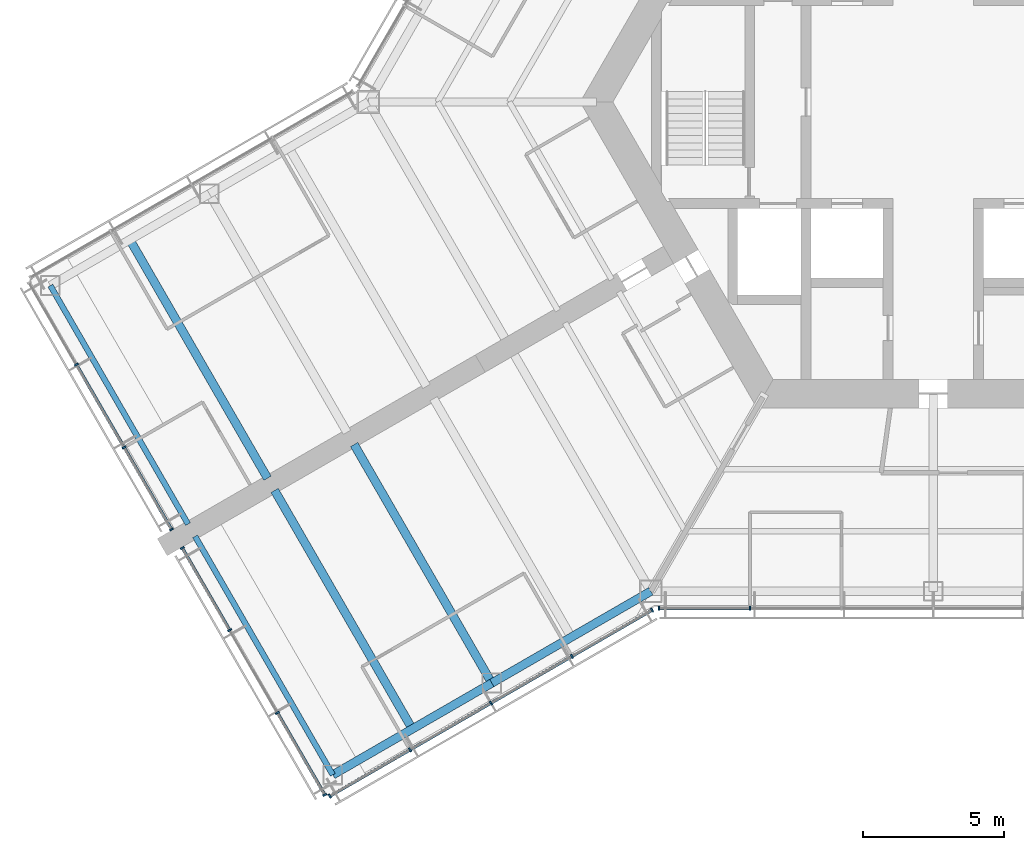
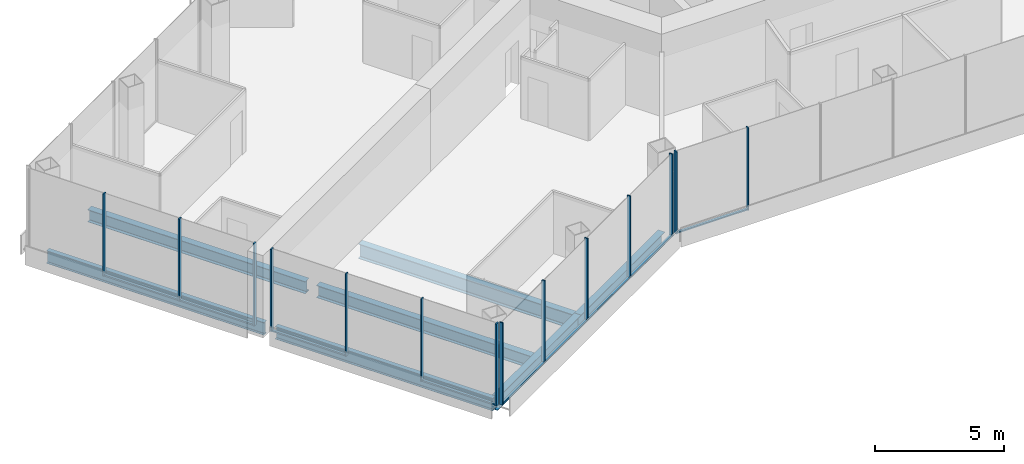
# One storey, part 2 of 18: 23 members, 7 beams, 4 elements without a shape of their own.
"""IFC4 building model written with IfcOpenShell, lengths in metres."""

from ifc_helpers import new_model, si_unit, direction, frame, origin, origin_2d, place, context, subcontext, project, spatial, rectangle, i_section, extrude, material, material_profile, profile_set, type_object, element, aggregate, save


model = new_model("IFC4")

# Units and contexts
model_context = context("Model", 3, precision=1e-05, world=origin(), true_north=direction((0.0, 1.0)))
body_context = subcontext(model_context, "Body", "Model", "MODEL_VIEW")
ifc_project = project(units=[si_unit("LENGTHUNIT", "METRE"), si_unit("AREAUNIT", "SQUARE_METRE"), si_unit("VOLUMEUNIT", "CUBIC_METRE"), si_unit("PLANEANGLEUNIT", "RADIAN"), si_unit("MASSUNIT", "GRAM", prefix="KILO")], contexts=[model_context])

# Site, building, storey
site_placement = place(None, origin())
site = spatial("IfcSite", under=ifc_project, at=site_placement, CompositionType="ELEMENT")
building_placement = place(site_placement, origin())
building = spatial("IfcBuilding", under=site, at=building_placement, Name="Kasaneha Research Tower", CompositionType="ELEMENT")
storey_placement = place(building_placement, frame((0.0, 0.0, 176.0)))
storey = spatial("IfcBuildingStorey", under=building, at=storey_placement, Name="L44", CompositionType="ELEMENT", Elevation=176.0)

# Beams
ifc_material_1 = material(Name="Steel SN490B", Category="steel")
ifc_material_profile_1 = material_profile(ifc_material_1, i_section(OverallWidth=0.300048828125, OverallDepth=0.58203125, WebThickness=0.011962890625, FlangeThickness=0.01708984375, FilletRadius=0.012939453125, at=origin_2d()), Name="H-582x300x12x17")
ifc_profile_set_1 = profile_set([ifc_material_profile_1], Name="Steel SN490B")
beam_type_1 = type_object("IfcBeamType", Name="B2-3 secondary beam H-582x300x12x17", PredefinedType="JOIST", material=ifc_profile_set_1)
for number, where, z_axis, x_axis, name in (
    (1, (-28.44384765625, -4.875, -0.44091796875), (0.499995560238, -0.866027967067, 0.0), (0.866027967067, 0.499995560238, 0.0), "Secondary beam WBBP2 L44"),
    (2, (-18.44384765625, -22.195556640625, -0.44091796875), (-0.499995560238, 0.866027967067, 0.0), (-0.866027967067, -0.499995560238, 0.0), "Secondary beam WBBN2 L44"),
):
    element("IfcBeam", number, at=place(storey_placement, frame(where, z_axis=z_axis, x_axis=x_axis)), inside=storey, type_object=beam_type_1, Name=name, PredefinedType="JOIST", context=body_context, shape_type="SweptSolid", body=[
        extrude(i_section(OverallWidth=0.300048828125, OverallDepth=0.58203125, WebThickness=0.011962890625, FlangeThickness=0.01708984375, FilletRadius=0.012939453125, at=origin_2d()), origin(), (0.0, 0.0, 1.0), 9.75),
    ])

# Curtain wall, members
ifc_material_2 = material(Name="Glass and aluminium", Category="aluminium")
curtain_wall_type = type_object("IfcCurtainWallType", Name="Mid-rise office curtain wall", PredefinedType="USERDEFINED", material=ifc_material_2)
curtain_wall_1_placement = place(storey_placement, origin())
curtain_wall_1 = element("IfcCurtainWall", 3, at=curtain_wall_1_placement, inside=storey, type_object=curtain_wall_type, Name="CW-O2 L44 run 01a", ObjectType="UNITISED CURTAIN WALL", PredefinedType="USERDEFINED")
ifc_material_3 = material(Name="Aluminium 6063-T6", Category="aluminium")
ifc_material_profile_2 = material_profile(ifc_material_3, rectangle(XDim=0.06005859375, YDim=0.14990234375, at=origin_2d()), Name="CW-O2 mullion 60x150")
ifc_profile_set_2 = profile_set([ifc_material_profile_2], Name="Aluminium 6063-T6")
member_type_1 = type_object("IfcMemberType", Name="CW-O2 mullion", PredefinedType="MULLION", material=ifc_profile_set_2)
member_1_placement = place(storey_placement, frame((-9.709228515625, -17.92041015625, 0.0), z_axis=(0.0, 0.0, 1.0), x_axis=(1.0, 0.0, 0.0)))
member_1 = element("IfcMember", 4, at=member_1_placement, type_object=member_type_1, Name="CW-O2 mullion 1", PredefinedType="MULLION", context=body_context, shape_type="SweptSolid", body=[
    extrude(rectangle(XDim=0.06005859375, YDim=0.14990234375, at=origin_2d()), origin(), (0.0, 0.0, 1.0), 3.89990234375),
])
member_2_placement = place(storey_placement, frame((-6.492919921875, -17.92041015625, 0.0), z_axis=(0.0, 0.0, 1.0), x_axis=(1.0, 0.0, 0.0)))
member_2 = element("IfcMember", 5, at=member_2_placement, type_object=member_type_1, Name="CW-O2 mullion 2", PredefinedType="MULLION", context=body_context, shape_type="SweptSolid", body=[
    extrude(rectangle(XDim=0.06005859375, YDim=0.14990234375, at=origin_2d()), origin(), (0.0, 0.0, 1.0), 3.89990234375),
])

curtain_wall_2_placement = place(storey_placement, origin())
curtain_wall_2 = element("IfcCurtainWall", 6, at=curtain_wall_2_placement, inside=storey, type_object=curtain_wall_type, Name="CW-O2 L44 run 10a", ObjectType="UNITISED CURTAIN WALL", PredefinedType="USERDEFINED")
member_3_placement = place(storey_placement, frame((-30.336181640625, -9.297119140625, 0.0), z_axis=(0.0, 0.0, 1.0), x_axis=(0.500000011442, -0.866025397178, 0.0)))
member_3 = element("IfcMember", 7, at=member_3_placement, type_object=member_type_1, Name="CW-O2 mullion 2", PredefinedType="MULLION", context=body_context, shape_type="SweptSolid", body=[
    extrude(rectangle(XDim=0.06005859375, YDim=0.14990234375, at=origin_2d()), origin(), (0.0, 0.0, 1.0), 3.89990234375),
])
member_4_placement = place(storey_placement, frame((-28.64453125, -12.22705078125, 0.0), z_axis=(0.0, 0.0, 1.0), x_axis=(0.500000011442, -0.866025397178, 0.0)))
member_4 = element("IfcMember", 8, at=member_4_placement, type_object=member_type_1, Name="CW-O2 mullion 3", PredefinedType="MULLION", context=body_context, shape_type="SweptSolid", body=[
    extrude(rectangle(XDim=0.06005859375, YDim=0.14990234375, at=origin_2d()), origin(), (0.0, 0.0, 1.0), 3.89990234375),
])
member_5_placement = place(storey_placement, frame((-26.968017578125, -15.131103515625, 0.0), z_axis=(0.0, 0.0, 1.0), x_axis=(0.500000011442, -0.866025397178, 0.0)))
member_5 = element("IfcMember", 9, at=member_5_placement, type_object=member_type_1, Name="CW-O2 mullion 4", PredefinedType="MULLION", context=body_context, shape_type="SweptSolid", body=[
    extrude(rectangle(XDim=0.06005859375, YDim=0.14990234375, at=origin_2d()), origin(), (0.0, 0.0, 1.0), 3.89990234375),
])

curtain_wall_3_placement = place(storey_placement, origin())
curtain_wall_3 = element("IfcCurtainWall", 10, at=curtain_wall_3_placement, inside=storey, type_object=curtain_wall_type, Name="CW-O2 L44 run 11a", ObjectType="UNITISED CURTAIN WALL", PredefinedType="USERDEFINED")
member_6_placement = place(storey_placement, frame((-26.587890625, -15.789306640625, 0.0), z_axis=(0.0, 0.0, 1.0), x_axis=(0.500000011442, -0.866025397178, 0.0)))
member_6 = element("IfcMember", 11, at=member_6_placement, type_object=member_type_1, Name="CW-O2 mullion 1", PredefinedType="MULLION", context=body_context, shape_type="SweptSolid", body=[
    extrude(rectangle(XDim=0.06005859375, YDim=0.14990234375, at=origin_2d()), origin(), (0.0, 0.0, 1.0), 3.89990234375),
])
member_7_placement = place(storey_placement, frame((-24.911376953125, -18.693359375, 0.0), z_axis=(0.0, 0.0, 1.0), x_axis=(0.500000011442, -0.866025397178, 0.0)))
member_7 = element("IfcMember", 12, at=member_7_placement, type_object=member_type_1, Name="CW-O2 mullion 2", PredefinedType="MULLION", context=body_context, shape_type="SweptSolid", body=[
    extrude(rectangle(XDim=0.06005859375, YDim=0.14990234375, at=origin_2d()), origin(), (0.0, 0.0, 1.0), 3.89990234375),
])
member_8_placement = place(storey_placement, frame((-23.2197265625, -21.62353515625, 0.0), z_axis=(0.0, 0.0, 1.0), x_axis=(0.500000011442, -0.866025397178, 0.0)))
member_8 = element("IfcMember", 13, at=member_8_placement, type_object=member_type_1, Name="CW-O2 mullion 3", PredefinedType="MULLION", context=body_context, shape_type="SweptSolid", body=[
    extrude(rectangle(XDim=0.06005859375, YDim=0.14990234375, at=origin_2d()), origin(), (0.0, 0.0, 1.0), 3.89990234375),
])
member_9_placement = place(storey_placement, frame((-21.54296875, -24.527587890625, 0.0), z_axis=(0.0, 0.0, 1.0), x_axis=(0.500000011442, -0.866025397178, 0.0)))
member_9 = element("IfcMember", 14, at=member_9_placement, type_object=member_type_1, Name="CW-O2 mullion 4", PredefinedType="MULLION", context=body_context, shape_type="SweptSolid", body=[
    extrude(rectangle(XDim=0.06005859375, YDim=0.14990234375, at=origin_2d()), origin(), (0.0, 0.0, 1.0), 3.89990234375),
])

curtain_wall_4_placement = place(storey_placement, origin())
curtain_wall_4 = element("IfcCurtainWall", 15, at=curtain_wall_4_placement, inside=storey, type_object=curtain_wall_type, Name="CW-O2 L44 run 12a", ObjectType="UNITISED CURTAIN WALL", PredefinedType="USERDEFINED")
member_10_placement = place(storey_placement, frame((-21.365478515625, -24.5751953125, 0.0), z_axis=(0.0, 0.0, 1.0), x_axis=(0.866025411464, 0.499999986699, 0.0)))
member_10 = element("IfcMember", 16, at=member_10_placement, type_object=member_type_1, Name="CW-O2 mullion 1", PredefinedType="MULLION", context=body_context, shape_type="SweptSolid", body=[
    extrude(rectangle(XDim=0.06005859375, YDim=0.14990234375, at=origin_2d()), origin(), (0.0, 0.0, 1.0), 3.89990234375),
])
member_11_placement = place(storey_placement, frame((-18.52490234375, -22.935302734375, 0.0), z_axis=(0.0, 0.0, 1.0), x_axis=(0.866025411464, 0.499999986699, 0.0)))
member_11 = element("IfcMember", 17, at=member_11_placement, type_object=member_type_1, Name="CW-O2 mullion 2", PredefinedType="MULLION", context=body_context, shape_type="SweptSolid", body=[
    extrude(rectangle(XDim=0.06005859375, YDim=0.14990234375, at=origin_2d()), origin(), (0.0, 0.0, 1.0), 3.89990234375),
])
member_12_placement = place(storey_placement, frame((-15.65869140625, -21.2802734375, 0.0), z_axis=(0.0, 0.0, 1.0), x_axis=(0.866025411464, 0.499999986699, 0.0)))
member_12 = element("IfcMember", 18, at=member_12_placement, type_object=member_type_1, Name="CW-O2 mullion 3", PredefinedType="MULLION", context=body_context, shape_type="SweptSolid", body=[
    extrude(rectangle(XDim=0.06005859375, YDim=0.14990234375, at=origin_2d()), origin(), (0.0, 0.0, 1.0), 3.89990234375),
])
member_13_placement = place(storey_placement, frame((-12.792236328125, -19.62548828125, 0.0), z_axis=(0.0, 0.0, 1.0), x_axis=(0.866025411464, 0.499999986699, 0.0)))
member_13 = element("IfcMember", 19, at=member_13_placement, type_object=member_type_1, Name="CW-O2 mullion 4", PredefinedType="MULLION", context=body_context, shape_type="SweptSolid", body=[
    extrude(rectangle(XDim=0.06005859375, YDim=0.14990234375, at=origin_2d()), origin(), (0.0, 0.0, 1.0), 3.89990234375),
])
member_14_placement = place(storey_placement, frame((-9.951904296875, -17.985595703125, 0.0), z_axis=(0.0, 0.0, 1.0), x_axis=(0.866025411464, 0.499999986699, 0.0)))
member_14 = element("IfcMember", 20, at=member_14_placement, type_object=member_type_1, Name="CW-O2 mullion 5", PredefinedType="MULLION", context=body_context, shape_type="SweptSolid", body=[
    extrude(rectangle(XDim=0.06005859375, YDim=0.14990234375, at=origin_2d()), origin(), (0.0, 0.0, 1.0), 3.89990234375),
])

# Member
ifc_material_4 = material(Name="Aluminium 6063-T6", Category="aluminium")
ifc_material_profile_3 = material_profile(ifc_material_4, rectangle(XDim=0.110107421875, YDim=0.06005859375, at=origin_2d()), Name="CW-O2 transom 110x60")
ifc_profile_set_3 = profile_set([ifc_material_profile_3], Name="Aluminium 6063-T6")
member_type_2 = type_object("IfcMemberType", Name="CW-O2 transom", PredefinedType="USERDEFINED", material=ifc_profile_set_3)
member_15_placement = place(storey_placement, frame((-9.67919921875, -17.92041015625, 0.030029296875), z_axis=(1.0, 0.0, 0.0), x_axis=(0.0, 1.0, 0.0)))
member_15 = element("IfcMember", 21, at=member_15_placement, type_object=member_type_2, Name="CW-O2 transom 1", ObjectType="TRANSOM", PredefinedType="USERDEFINED", context=body_context, shape_type="SweptSolid", body=[
    extrude(rectangle(XDim=0.110107421875, YDim=0.06005859375, at=origin_2d()), origin(), (0.0, 0.0, 1.0), 3.156494140625),
])

aggregate(curtain_wall_1, [member_1, member_2, member_15])

member_16_placement = place(storey_placement, frame((-30.3212890625, -9.322998046875, 0.030029296875), z_axis=(0.499978935311, -0.866037565146, 0.0), x_axis=(0.866037565146, 0.499978935311, 0.0)))
member_16 = element("IfcMember", 22, at=member_16_placement, type_object=member_type_2, Name="CW-O2 transom 2", ObjectType="TRANSOM", PredefinedType="USERDEFINED", context=body_context, shape_type="SweptSolid", body=[
    extrude(rectangle(XDim=0.110107421875, YDim=0.06005859375, at=origin_2d()), origin(), (0.0, 0.0, 1.0), 3.323486328125),
])

member_17_placement = place(storey_placement, frame((-28.629638671875, -12.253173828125, 0.030029296875), z_axis=(0.500021914551, -0.866012751043, 0.0), x_axis=(0.866012751043, 0.500021914551, 0.0)))
member_17 = element("IfcMember", 23, at=member_17_placement, type_object=member_type_2, Name="CW-O2 transom 3", ObjectType="TRANSOM", PredefinedType="USERDEFINED", context=body_context, shape_type="SweptSolid", body=[
    extrude(rectangle(XDim=0.110107421875, YDim=0.06005859375, at=origin_2d()), origin(), (0.0, 0.0, 1.0), 3.293212890625),
])

aggregate(curtain_wall_2, [member_3, member_4, member_5, member_16, member_17])

member_18_placement = place(storey_placement, frame((-26.572998046875, -15.8154296875, 0.030029296875), z_axis=(0.500021914551, -0.866012751043, 0.0), x_axis=(0.866012751043, 0.500021914551, 0.0)))
member_18 = element("IfcMember", 24, at=member_18_placement, type_object=member_type_2, Name="CW-O2 transom 1", ObjectType="TRANSOM", PredefinedType="USERDEFINED", context=body_context, shape_type="SweptSolid", body=[
    extrude(rectangle(XDim=0.110107421875, YDim=0.06005859375, at=origin_2d()), origin(), (0.0, 0.0, 1.0), 3.293212890625),
])

member_19_placement = place(storey_placement, frame((-23.20458984375, -21.6494140625, 0.030029296875), z_axis=(0.500021914551, -0.866012751043, 0.0), x_axis=(0.866012751043, 0.500021914551, 0.0)))
member_19 = element("IfcMember", 25, at=member_19_placement, type_object=member_type_2, Name="CW-O2 transom 3", ObjectType="TRANSOM", PredefinedType="USERDEFINED", context=body_context, shape_type="SweptSolid", body=[
    extrude(rectangle(XDim=0.110107421875, YDim=0.06005859375, at=origin_2d()), origin(), (0.0, 0.0, 1.0), 3.293212890625),
])

aggregate(curtain_wall_3, [member_6, member_7, member_8, member_9, member_18, member_19])

member_20_placement = place(storey_placement, frame((-21.33935546875, -24.56005859375, 0.030029296875), z_axis=(0.866022692473, 0.500004696101, 0.0), x_axis=(-0.500004696101, 0.866022692473, 0.0)))
member_20 = element("IfcMember", 26, at=member_20_placement, type_object=member_type_2, Name="CW-O2 transom 1", ObjectType="TRANSOM", PredefinedType="USERDEFINED", context=body_context, shape_type="SweptSolid", body=[
    extrude(rectangle(XDim=0.110107421875, YDim=0.06005859375, at=origin_2d()), origin(), (0.0, 0.0, 1.0), 3.2197265625),
])

member_21_placement = place(storey_placement, frame((-18.4990234375, -22.920166015625, 0.030029296875), z_axis=(0.86604797581, 0.499960902066, 0.0), x_axis=(-0.499960902066, 0.86604797581, 0.0)))
member_21 = element("IfcMember", 27, at=member_21_placement, type_object=member_type_2, Name="CW-O2 transom 2", ObjectType="TRANSOM", PredefinedType="USERDEFINED", context=body_context, shape_type="SweptSolid", body=[
    extrude(rectangle(XDim=0.110107421875, YDim=0.06005859375, at=origin_2d()), origin(), (0.0, 0.0, 1.0), 3.249755859375),
])

member_22_placement = place(storey_placement, frame((-15.632568359375, -21.265380859375, 0.030029296875), z_axis=(0.866015446554, 0.500017246033, 0.0), x_axis=(-0.500017246033, 0.866015446554, 0.0)))
member_22 = element("IfcMember", 28, at=member_22_placement, type_object=member_type_2, Name="CW-O2 transom 3", ObjectType="TRANSOM", PredefinedType="USERDEFINED", context=body_context, shape_type="SweptSolid", body=[
    extrude(rectangle(XDim=0.110107421875, YDim=0.06005859375, at=origin_2d()), origin(), (0.0, 0.0, 1.0), 3.25),
])

member_23_placement = place(storey_placement, frame((-12.76611328125, -19.6103515625, 0.030029296875), z_axis=(0.866022692473, 0.500004696101, 0.0), x_axis=(-0.500004696101, 0.866022692473, 0.0)))
member_23 = element("IfcMember", 29, at=member_23_placement, type_object=member_type_2, Name="CW-O2 transom 4", ObjectType="TRANSOM", PredefinedType="USERDEFINED", context=body_context, shape_type="SweptSolid", body=[
    extrude(rectangle(XDim=0.110107421875, YDim=0.06005859375, at=origin_2d()), origin(), (0.0, 0.0, 1.0), 3.2197265625),
])

aggregate(curtain_wall_4, [member_10, member_11, member_12, member_13, member_14, member_20, member_21, member_22, member_23])

# Beams
ifc_material_5 = material(Name="Steel SN490B", Category="steel")
ifc_material_profile_4 = material_profile(ifc_material_5, i_section(OverallWidth=0.300048828125, OverallDepth=0.699951171875, WebThickness=0.012939453125, FlangeThickness=0.02392578125, FilletRadius=0.01806640625, at=origin_2d()), Name="H-700x300x13x24")
ifc_profile_set_4 = profile_set([ifc_material_profile_4], Name="Steel SN490B")
beam_type_2 = type_object("IfcBeamType", Name="G4-3 wing girder H-700x300x13x24", PredefinedType="BEAM", material=ifc_profile_set_4)
beam_placement = place(storey_placement, frame((-15.629150390625, -20.570556640625, -0.5), z_axis=(-0.499995560238, 0.866027967067, 0.0), x_axis=(-0.866027967067, -0.499995560238, 0.0)))
element("IfcBeam", 30, at=beam_placement, inside=storey, type_object=beam_type_2, Name="Wing girder WGBN L44", PredefinedType="BEAM", context=body_context, shape_type="SweptSolid", body=[
    extrude(i_section(OverallWidth=0.300048828125, OverallDepth=0.699951171875, WebThickness=0.012939453125, FlangeThickness=0.02392578125, FilletRadius=0.01806640625, at=origin_2d()), origin(), (0.0, 0.0, 1.0), 9.75),
])
ifc_material_6 = material(Name="Steel SN490B", Category="steel")
ifc_material_profile_5 = material_profile(ifc_material_6, i_section(OverallWidth=0.300048828125, OverallDepth=0.58203125, WebThickness=0.011962890625, FlangeThickness=0.01708984375, FilletRadius=0.012939453125, at=origin_2d()), Name="H-582x300x12x17")
ifc_profile_set_5 = profile_set([ifc_material_profile_5], Name="Steel SN490B")
beam_type_3 = type_object("IfcBeamType", Name="SB2-3 spandrel beam H-582x300x12x17", PredefinedType="SPANDREL", material=ifc_profile_set_5)
for number, where, z_axis, x_axis, name in (
    (31, (-10.0, -17.320556640625, -0.44091796875), (-0.866024837091, -0.50000098154, 0.0), (0.50000098154, -0.866024837091, 0.0), "Spandrel beam WSBN1 L44"),
    (32, (-15.629150390625, -20.570556640625, -0.44091796875), (-0.866024837091, -0.50000098154, 0.0), (0.50000098154, -0.866024837091, 0.0), "Spandrel beam WSBN2 L44"),
):
    element("IfcBeam", number, at=place(storey_placement, frame(where, z_axis=z_axis, x_axis=x_axis)), inside=storey, type_object=beam_type_3, Name=name, PredefinedType="SPANDREL", context=body_context, shape_type="SweptSolid", body=[
        extrude(i_section(OverallWidth=0.300048828125, OverallDepth=0.58203125, WebThickness=0.011962890625, FlangeThickness=0.01708984375, FilletRadius=0.012939453125, at=origin_2d()), origin(), (0.0, 0.0, 1.0), 6.5),
    ])
ifc_material_7 = material(Name="Steel SN490B", Category="steel")
ifc_material_profile_6 = material_profile(ifc_material_7, i_section(OverallWidth=0.199951171875, OverallDepth=0.60009765625, WebThickness=0.010986328125, FlangeThickness=0.01708984375, FilletRadius=0.012939453125, at=origin_2d()), Name="H-600x200x11x17")
ifc_profile_set_6 = profile_set([ifc_material_profile_6], Name="Steel SN490B")
beam_type_4 = type_object("IfcBeamType", Name="SB3-3 spandrel beam H-600x200x11x17", PredefinedType="SPANDREL", material=ifc_profile_set_6)
for number, where, z_axis, x_axis, name in (
    (33, (-31.25830078125, -6.5, -0.449951171875), (0.499995560238, -0.866027967067, 0.0), (0.866027967067, 0.499995560238, 0.0), "Spandrel beam WTBP L44"),
    (34, (-21.25830078125, -23.820556640625, -0.449951171875), (-0.499995560238, 0.866027967067, 0.0), (-0.866027967067, -0.499995560238, 0.0), "Spandrel beam WTBN L44"),
):
    element("IfcBeam", number, at=place(storey_placement, frame(where, z_axis=z_axis, x_axis=x_axis)), inside=storey, type_object=beam_type_4, Name=name, PredefinedType="SPANDREL", context=body_context, shape_type="SweptSolid", body=[
        extrude(i_section(OverallWidth=0.199951171875, OverallDepth=0.60009765625, WebThickness=0.010986328125, FlangeThickness=0.01708984375, FilletRadius=0.012939453125, at=origin_2d()), origin(), (0.0, 0.0, 1.0), 9.75),
    ])

save(model, "model.ifc")
